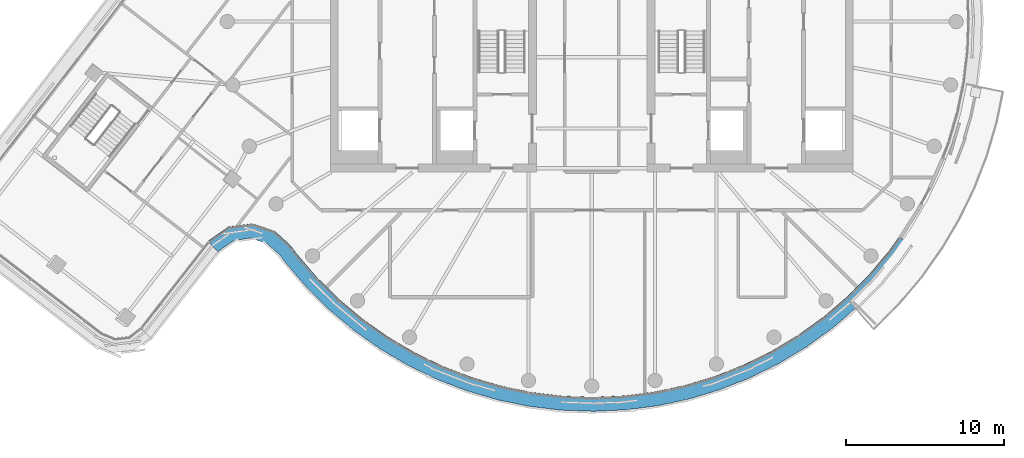
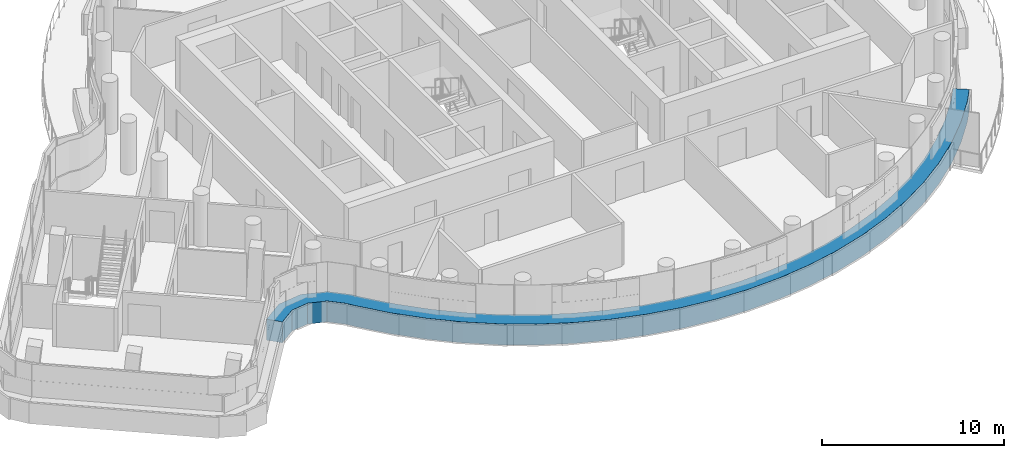
# One storey, part 7 of 26: 1 member, 1 element without a shape of its own.
"""IFC4 building model written with IfcOpenShell, lengths in metres."""

from ifc_helpers import new_model, si_unit, direction, frame, origin, place, context, subcontext, project, spatial, polyline, outline, extrude, material, layer, layer_set, type_object, element, aggregate, save


model = new_model("IFC4")

# Units and contexts
model_context = context("Model", 3, precision=1e-05, world=origin(), true_north=direction((0.0, 1.0)))
body_context = subcontext(model_context, "Body", "Model", "MODEL_VIEW")
ifc_project = project(units=[si_unit("LENGTHUNIT", "METRE"), si_unit("AREAUNIT", "SQUARE_METRE"), si_unit("VOLUMEUNIT", "CUBIC_METRE"), si_unit("PLANEANGLEUNIT", "RADIAN"), si_unit("MASSUNIT", "GRAM", prefix="KILO")], contexts=[model_context])

# Site, building, storey
site_placement = place(None, origin())
site = spatial("IfcSite", under=ifc_project, at=site_placement, CompositionType="ELEMENT")
building_placement = place(site_placement, origin())
building = spatial("IfcBuilding", under=site, at=building_placement, Name="Tamarind Cross Interchange Tower", CompositionType="ELEMENT")
storey_placement = place(building_placement, frame((0.0, 0.0, 223.5)))
storey = spatial("IfcBuildingStorey", under=building, at=storey_placement, Name="L56", CompositionType="ELEMENT", Elevation=223.5)

# Curtain wall, member
ifc_material_1 = material(Name="Aluminium 6063-T6", Category="aluminium")
ifc_layer = layer(ifc_material_1, 0.139892578125)
ifc_layer_set = layer_set([ifc_layer], Name="Aluminium 6063-T6")
curtain_wall_type = type_object("IfcCurtainWallType", Name="Hotel curtain wall, 4.5 m bays", PredefinedType="NOTDEFINED", material=ifc_layer_set)
curtain_wall_placement = place(storey_placement, origin())
curtain_wall = element("IfcCurtainWall", 1, at=curtain_wall_placement, inside=storey, type_object=curtain_wall_type, Name="CWS-L56-02", PredefinedType="NOTDEFINED")
ifc_material_2 = material(Name="Aluminium and insulated spandrel panel", Category="aluminium")
member_type = type_object("IfcMemberType", Name="Floor-edge blade transom", PredefinedType="USERDEFINED", material=ifc_material_2)
member_placement = place(storey_placement, origin())
member = element("IfcMember", 2, at=member_placement, type_object=member_type, Name="CWT-L56-02-0", ObjectType="TRANSOM", PredefinedType="USERDEFINED", context=body_context, shape_type="SweptSolid", body=[
    extrude(outline(polyline([(-24.224609375, -13.857666015625), (-22.9130859375, -12.945068359375), (-21.42041015625, -12.740478515625), (-20.00390625, -13.224609375), (-19.001708984375, -14.13818359375), (-18.637451171875, -14.63330078125), (-17.3642578125, -16.12353515625), (-15.973388671875, -17.50244140625), (-14.4736328125, -18.76171875), (-12.874755859375, -19.892822265625), (-11.188232421875, -20.88818359375), (-9.425048828125, -21.74072265625), (-7.597412109375, -22.444580078125), (-5.718017578125, -22.995361328125), (-3.799560546875, -23.38916015625), (-1.855224609375, -23.623046875), (0.10205078125, -23.695556640625), (2.058349609375, -23.606201171875), (4.000732421875, -23.35546875), (5.915771484375, -22.9453125), (7.790283203125, -22.37841796875), (9.61181640625, -21.65869140625), (11.367431640625, -20.791015625), (13.045654296875, -19.78125), (14.634521484375, -18.636474609375), (16.12353515625, -17.3642578125), (17.50244140625, -15.973388671875), (18.76171875, -14.4736328125), (19.3935546875, -13.58056640625), (20.130859375, -14.0966796875), (19.474853515625, -15.023681640625), (18.167724609375, -16.580810546875), (16.736572265625, -18.0244140625), (15.19091796875, -19.344970703125), (13.54150390625, -20.533203125), (11.799560546875, -21.581298828125), (9.97705078125, -22.482177734375), (8.08642578125, -23.229248046875), (6.140625, -23.817626953125), (4.15283203125, -24.243408203125), (2.13671875, -24.50341796875), (0.10595703125, -24.59619140625), (-1.925537109375, -24.52099609375), (-3.944091796875, -24.2783203125), (-5.935302734375, -23.86962890625), (-7.88623046875, -23.2978515625), (-9.783203125, -22.567138671875), (-11.613525390625, -21.68212890625), (-13.3642578125, -20.64892578125), (-15.023681640625, -19.474853515625), (-16.580810546875, -18.167724609375), (-18.0244140625, -16.736572265625), (-19.343017578125, -15.193115234375), (-19.673828125, -14.743408203125), (-20.471923828125, -14.015625), (-21.509521484375, -13.6611328125), (-22.57666015625, -13.807373046875), (-23.598876953125, -14.518798828125), (-24.224609375, -13.857666015625)])), origin(), (0.0, 0.0, 1.0), 1.39990234375),
])
aggregate(curtain_wall, [member])

save(model, "model.ifc")
